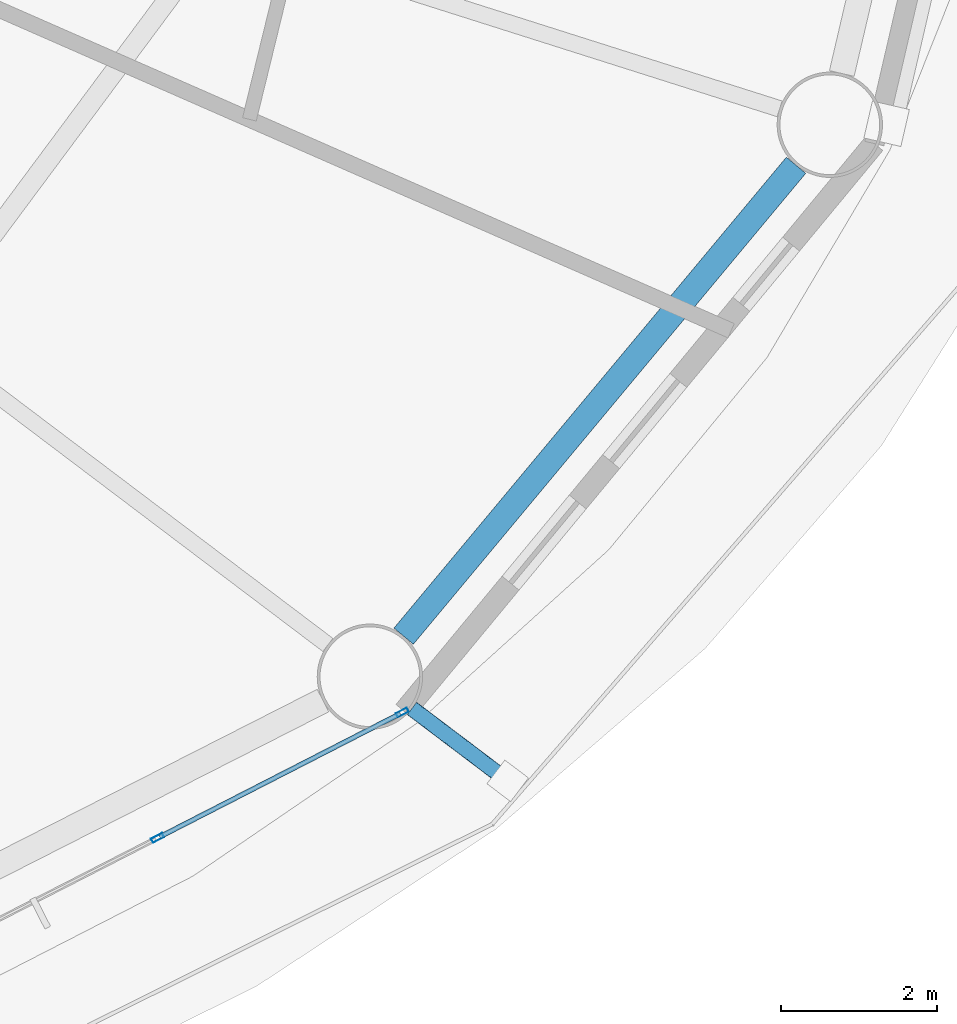
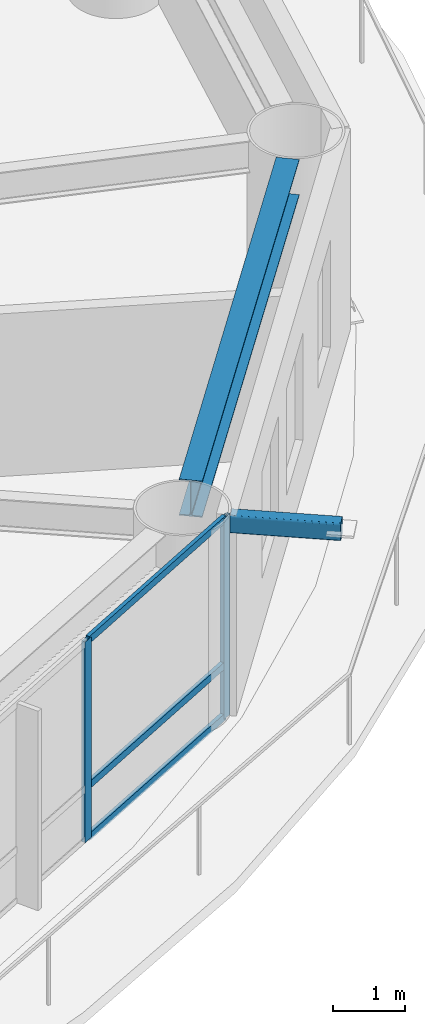
# One storey, part 6 of 24: 6 members, 1 beam, 1 element without a shape of its own.
"""IFC4 building model written with IfcOpenShell, lengths in metres."""

from ifc_helpers import new_model, si_unit, direction, frame, origin, origin_2d, place, context, subcontext, project, spatial, hollow_rectangle, i_section, extrude, material, layer, layer_set, material_profile, profile_set, type_object, element, aggregate, save


model = new_model("IFC4")

# Units and contexts
model_context = context("Model", 3, precision=1e-05, world=origin(), true_north=direction((0.0, 1.0)))
body_context = subcontext(model_context, "Body", "Model", "MODEL_VIEW")
ifc_project = project(units=[si_unit("LENGTHUNIT", "METRE"), si_unit("AREAUNIT", "SQUARE_METRE"), si_unit("VOLUMEUNIT", "CUBIC_METRE"), si_unit("PLANEANGLEUNIT", "RADIAN"), si_unit("MASSUNIT", "GRAM", prefix="KILO")], contexts=[model_context])

# Site, building, storey
site_placement = place(None, origin())
site = spatial("IfcSite", under=ifc_project, at=site_placement, CompositionType="ELEMENT")
building_placement = place(site_placement, origin())
building = spatial("IfcBuilding", under=site, at=building_placement, Name="Sarneth Arch Tower", CompositionType="ELEMENT")
storey_placement = place(building_placement, frame((0.0, 0.0, 91.199951171875)))
storey = spatial("IfcBuildingStorey", under=building, at=storey_placement, Name="L22", CompositionType="ELEMENT", Elevation=91.199951171875)

# Beam
ifc_material_1 = material(Name="Steel S355", Category="steel")
ifc_material_profile_1 = material_profile(ifc_material_1, i_section(OverallWidth=0.323974609375, OverallDepth=0.611083984375, WebThickness=0.0126953125, FlangeThickness=0.01904296875, FilletRadius=0.01904296875, at=origin_2d()), Name="W610x155")
ifc_profile_set_1 = profile_set([ifc_material_profile_1], Name="Steel S355")
beam_type = type_object("IfcBeamType", Name="BM-SPAN-610B", PredefinedType="SPANDREL", material=ifc_profile_set_1)
beam_placement = place(storey_placement, frame((68.829833984375, 27.103515625, 3.074462890625), z_axis=(0.640169116175, 0.768234015581, 0.0), x_axis=(-0.768234015581, 0.640169116175, 0.0)))
element("IfcBeam", 1, at=beam_placement, inside=storey, type_object=beam_type, Name="L22 Perimeter spandrel beam 15", PredefinedType="SPANDREL", context=body_context, shape_type="SweptSolid", body=[
    extrude(i_section(OverallWidth=0.323974609375, OverallDepth=0.611083984375, WebThickness=0.0126953125, FlangeThickness=0.01904296875, FilletRadius=0.01904296875, at=origin_2d()), origin(), (0.0, 0.0, 1.0), 7.856201171875),
])

# Curtain wall, members
ifc_material_2 = material(Name="Anodised aluminium Type AA25 and solar-control low-e laminated IGU", Category="aluminium")
ifc_layer = layer(ifc_material_2, 0.159912109375)
ifc_layer_set = layer_set([ifc_layer], Name="Anodised aluminium Type AA25 and solar-control low-e laminated IGU")
curtain_wall_type = type_object("IfcCurtainWallType", Name="CW-HOTEL-MID", PredefinedType="NOTDEFINED", material=ifc_layer_set)
curtain_wall_placement = place(storey_placement, origin())
curtain_wall = element("IfcCurtainWall", 2, at=curtain_wall_placement, inside=storey, type_object=curtain_wall_type, Name="L22 Unitised curtain wall facet 14", PredefinedType="NOTDEFINED")
ifc_material_3 = material(Name="Anodised Aluminium 6063-T6", Category="aluminium")
ifc_material_profile_2 = material_profile(ifc_material_3, hollow_rectangle(XDim=0.06005859375, YDim=0.159912109375, WallThickness=0.00390625, at=origin_2d()), Name="AL-MULL-160x60x4")
ifc_profile_set_2 = profile_set([ifc_material_profile_2], Name="Anodised Aluminium 6063-T6")
member_type_1 = type_object("IfcMemberType", Name="CW-MULLION", PredefinedType="MULLION", material=ifc_profile_set_2)
member_1_placement = place(storey_placement, frame((65.677001953125, 24.518798828125, 0.0), z_axis=(0.0, 0.0, 1.0), x_axis=(-0.456031365356, 0.889963703649, 0.0)))
member_1 = element("IfcMember", 3, at=member_1_placement, type_object=member_type_1, Name="CW-SYS-4 mullion 3", PredefinedType="MULLION", context=body_context, shape_type="SweptSolid", body=[
    extrude(hollow_rectangle(XDim=0.06005859375, YDim=0.159912109375, WallThickness=0.00390625, at=origin_2d()), origin(), (0.0, 0.0, 1.0), 3.380126953125),
])
member_2_placement = place(storey_placement, frame((68.813232421875, 26.1259765625, 0.0), z_axis=(0.0, 0.0, 1.0), x_axis=(-0.456031365356, 0.889963703649, 0.0)))
member_2 = element("IfcMember", 4, at=member_2_placement, type_object=member_type_1, Name="CW-SYS-4 mullion 4", PredefinedType="MULLION", context=body_context, shape_type="SweptSolid", body=[
    extrude(hollow_rectangle(XDim=0.06005859375, YDim=0.159912109375, WallThickness=0.00390625, at=origin_2d()), origin(), (0.0, 0.0, 1.0), 3.380126953125),
])
ifc_material_4 = material(Name="Anodised Aluminium 6063-T6", Category="aluminium")
ifc_material_profile_3 = material_profile(ifc_material_4, hollow_rectangle(XDim=0.06005859375, YDim=0.1201171875, WallThickness=0.00390625, at=origin_2d()), Name="AL-TRAN-120x60x4")
ifc_profile_set_3 = profile_set([ifc_material_profile_3], Name="Anodised Aluminium 6063-T6")
member_type_2 = type_object("IfcMemberType", Name="CW-TRANSOM", PredefinedType="USERDEFINED", material=ifc_profile_set_3)
member_3_placement = place(storey_placement, frame((65.703857421875, 24.532470703125, 0.030029296875), z_axis=(0.889942905184, 0.456071952122, 0.0), x_axis=(-0.456071952122, 0.889942905184, 0.0)))
member_3 = element("IfcMember", 5, at=member_3_placement, type_object=member_type_2, Name="CW-SYS-4 transom 3.1", ObjectType="TRANSOM", PredefinedType="USERDEFINED", context=body_context, shape_type="SweptSolid", body=[
    extrude(hollow_rectangle(XDim=0.06005859375, YDim=0.1201171875, WallThickness=0.00390625, at=origin_2d()), origin(), (0.0, 0.0, 1.0), 3.464111328125),
])
member_4_placement = place(storey_placement, frame((65.703857421875, 24.532470703125, 0.900146484375), z_axis=(0.889942905184, 0.456071952122, 0.0), x_axis=(-0.456071952122, 0.889942905184, 0.0)))
member_4 = element("IfcMember", 6, at=member_4_placement, type_object=member_type_2, Name="CW-SYS-4 transom 3.2", ObjectType="TRANSOM", PredefinedType="USERDEFINED", context=body_context, shape_type="SweptSolid", body=[
    extrude(hollow_rectangle(XDim=0.06005859375, YDim=0.1201171875, WallThickness=0.00390625, at=origin_2d()), origin(), (0.0, 0.0, 1.0), 3.464111328125),
])
member_5_placement = place(storey_placement, frame((65.703857421875, 24.532470703125, 3.35009765625), z_axis=(0.889942905184, 0.456071952122, 0.0), x_axis=(-0.456071952122, 0.889942905184, 0.0)))
member_5 = element("IfcMember", 7, at=member_5_placement, type_object=member_type_2, Name="CW-SYS-4 transom 3.3", ObjectType="TRANSOM", PredefinedType="USERDEFINED", context=body_context, shape_type="SweptSolid", body=[
    extrude(hollow_rectangle(XDim=0.06005859375, YDim=0.1201171875, WallThickness=0.00390625, at=origin_2d()), origin(), (0.0, 0.0, 1.0), 3.464111328125),
])
aggregate(curtain_wall, [member_1, member_2, member_3, member_4, member_5])

# Member
ifc_material_5 = material(Name="Steel S355", Category="steel")
ifc_material_profile_4 = material_profile(ifc_material_5, hollow_rectangle(XDim=0.199951171875, YDim=0.300048828125, WallThickness=0.012451171875, InnerFilletRadius=0.018798828125, OuterFilletRadius=0.03125, at=origin_2d()), Name="RHS300x200x12.5")
ifc_profile_set_4 = profile_set([ifc_material_profile_4], Name="Steel S355")
member_type_3 = type_object("IfcMemberType", Name="MEM-CANT-STRUT", PredefinedType="STRUT", material=ifc_profile_set_4)
member_6_placement = place(storey_placement, frame((68.936279296875, 26.177978515625, 3.219970703125), z_axis=(0.797804556467, -0.602916154768, 0.0), x_axis=(0.602916154768, 0.797804556467, 0.0)))
element("IfcMember", 8, at=member_6_placement, inside=storey, type_object=member_type_3, Name="L22 Balcony cantilever bracket 15", PredefinedType="STRUT", context=body_context, shape_type="SweptSolid", body=[
    extrude(hollow_rectangle(XDim=0.199951171875, YDim=0.300048828125, WallThickness=0.012451171875, InnerFilletRadius=0.018798828125, OuterFilletRadius=0.03125, at=origin_2d()), origin(), (0.0, 0.0, 1.0), 1.538330078125),
])

save(model, "model.ifc")
